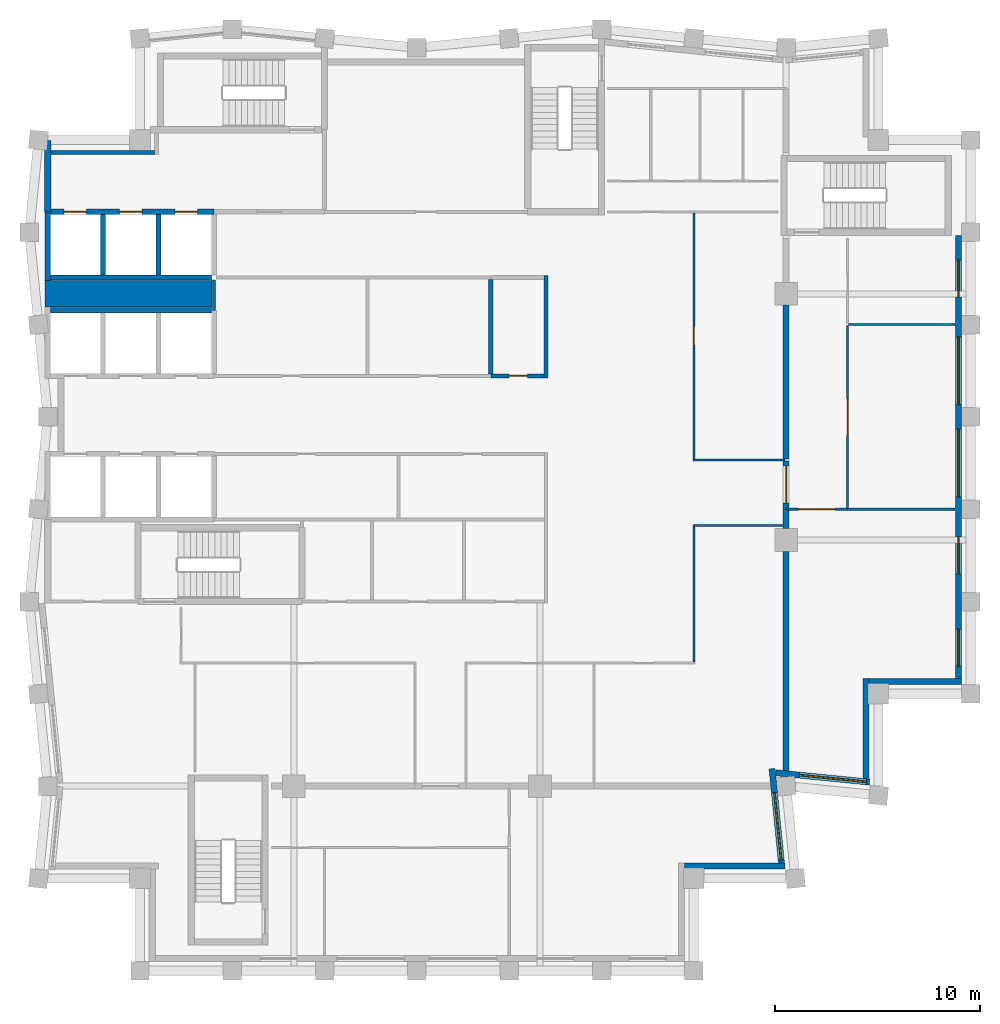
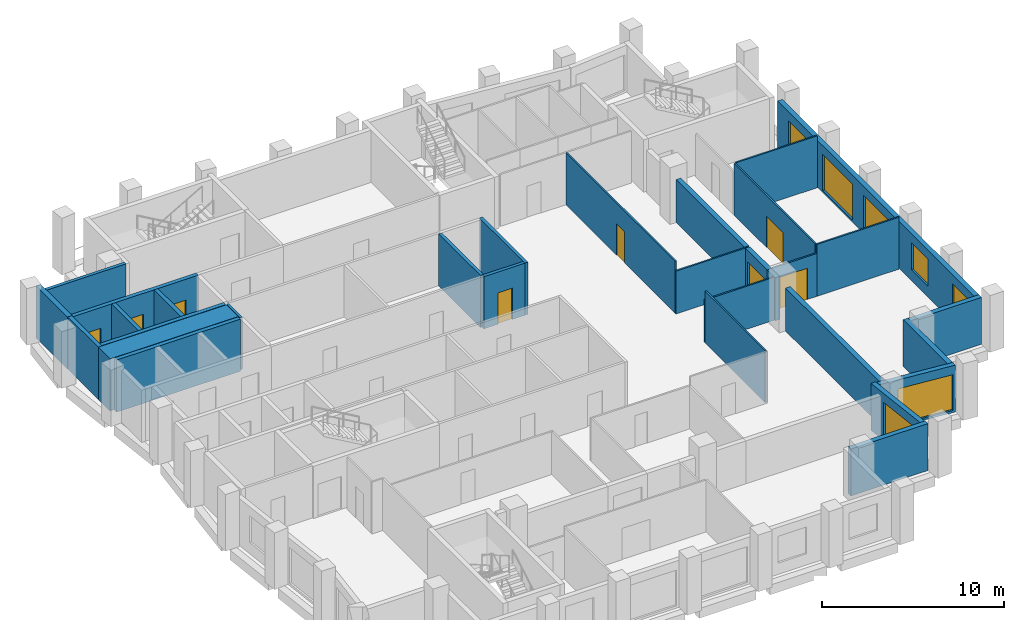
# One storey, part 4 of 7: 31 walls, 8 doors, 7 windows, 15 openings.
"""IFC4 building model written with IfcOpenShell, lengths in metres."""

from ifc_helpers import new_model, si_unit, direction, frame, frame_2d, origin, place, context, subcontext, project, spatial, rectangle, extrude, material, layer, layer_set, type_object, element, fill, save


model = new_model("IFC4")

# Units and contexts
model_context = context("Model", 3, precision=1e-05, world=origin(), true_north=direction((0.0, 1.0)))
body_context = subcontext(model_context, "Body", "Model", "MODEL_VIEW")
ifc_project = project(units=[si_unit("LENGTHUNIT", "METRE"), si_unit("AREAUNIT", "SQUARE_METRE"), si_unit("VOLUMEUNIT", "CUBIC_METRE"), si_unit("PLANEANGLEUNIT", "RADIAN"), si_unit("MASSUNIT", "GRAM", prefix="KILO")], contexts=[model_context])

# Site, building, storey
site_placement = place(None, origin())
site = spatial("IfcSite", under=ifc_project, at=site_placement, CompositionType="ELEMENT")
building_placement = place(site_placement, origin())
building = spatial("IfcBuilding", under=site, at=building_placement, Name="Brondeck Convention Tower", CompositionType="ELEMENT")
storey_placement = place(building_placement, frame((0.0, 0.0, 260.0)))
storey = spatial("IfcBuildingStorey", under=building, at=storey_placement, Name="L64", CompositionType="ELEMENT", Elevation=260.0)

# Walls
ifc_material_1 = material(Name="Concrete compartment wall C30/37", Category="concrete")
ifc_layer_1 = layer(ifc_material_1, 0.300048828125)
ifc_layer_set_1 = layer_set([ifc_layer_1], Name="Compartment wall 300")
wall_type_1 = type_object("IfcWallType", Name="Compartment wall 300", PredefinedType="PARTITIONING", material=ifc_layer_set_1)
wall_1_placement = place(storey_placement, frame((36.0, 27.773681640625, 0.0), z_axis=(0.0, 0.0, 1.0), x_axis=(0.0, 1.0, 0.0)))
element("IfcWall", 1, at=wall_1_placement, inside=storey, type_object=wall_type_1, Name="FLR-L64-W020", PredefinedType="PARTITIONING", context=body_context, shape_type="SweptSolid", body=[
    extrude(rectangle(XDim=10.67138671875, YDim=0.300048828125, at=frame_2d((5.335693359375, 0.0))), origin(), (0.0, 0.0, 1.0), 2.8798828125),
])
wall_2_placement = place(storey_placement, frame((36.0, 40.449951171875, 0.0), z_axis=(0.0, 0.0, 1.0), x_axis=(0.0, -1.0, 0.0)))
element("IfcWall", 2, at=wall_2_placement, inside=storey, type_object=wall_type_1, Name="FLR-L64-W032", PredefinedType="PARTITIONING", context=body_context, shape_type="SweptSolid", body=[
    extrude(rectangle(XDim=0.8798828125, YDim=0.300048828125, at=frame_2d((0.43994140625, 0.0))), origin(), (0.0, 0.0, 1.0), 2.8798828125),
])

# Wall, opening, door
wall_3_placement = place(storey_placement, frame((36.0, 42.85009765625, 0.0), z_axis=(0.0, 0.0, 1.0), x_axis=(0.0, -1.0, 0.0)))
wall_3 = element("IfcWall", 3, at=wall_3_placement, inside=storey, type_object=wall_type_1, Name="FLR-L64-W035", PredefinedType="PARTITIONING", context=body_context, shape_type="SweptSolid", body=[
    extrude(rectangle(XDim=2.39501953125, YDim=0.300048828125, at=frame_2d((1.197509765625, 0.0))), origin(), (0.0, 0.0, 1.0), 2.8798828125),
])
opening_1_placement = place(wall_3_placement, frame((0.25, 0.0, 0.0)))
opening_1 = element("IfcOpeningElement", 4, at=opening_1_placement, cuts=wall_3, Name="Opening EX-B-017", PredefinedType="OPENING", context=body_context, shape_type="SweptSolid", body=[
    extrude(rectangle(XDim=1.800048828125, YDim=2.10009765625, at=frame_2d((0.89990234375, 1.050048828125))), frame((0.0, 0.159912109375, 0.0), z_axis=(0.0, -1.0, 0.0), x_axis=(1.0, 0.0, 0.0)), (0.0, 0.0, 1.0), 0.320068359375),
])
ifc_material_2 = material(Name="Steel fire door pair", Category="steel")
door_type_1 = type_object("IfcDoorType", Name="Fire door pair 1800", OperationType="DOUBLE_DOOR_SINGLE_SWING", PredefinedType="DOOR", material=ifc_material_2)
door_1_placement = place(opening_1_placement, origin())
door_1 = element("IfcDoor", 5, at=door_1_placement, inside=storey, type_object=door_type_1, Name="Door EX-B-017", OperationType="DOUBLE_DOOR_SINGLE_SWING", OverallHeight=2.10009765625, OverallWidth=1.800048828125, PredefinedType="DOOR", context=body_context, shape_type="SweptSolid", body=[
    extrude(rectangle(XDim=1.800048828125, YDim=2.10009765625, at=frame_2d((0.89990234375, 1.050048828125))), frame((0.0, 0.02490234375, 0.0), z_axis=(0.0, -1.0, 0.0), x_axis=(1.0, 0.0, 0.0)), (0.0, 0.0, 1.0), 0.050048828125),
])
fill(opening_1, door_1)

# Walls
wall_4_placement = place(storey_placement, frame((36.0, 42.949951171875, 0.0), z_axis=(0.0, 0.0, 1.0), x_axis=(0.0, 1.0, 0.0)))
element("IfcWall", 6, at=wall_4_placement, inside=storey, type_object=wall_type_1, Name="FLR-L64-W037", PredefinedType="PARTITIONING", context=body_context, shape_type="SweptSolid", body=[
    extrude(rectangle(XDim=7.4951171875, YDim=0.300048828125, at=frame_2d((3.74755859375, 0.0))), origin(), (0.0, 0.0, 1.0), 2.8798828125),
])
ifc_material_3 = material(Name="Concrete C50/60", Category="concrete")
ifc_layer_2 = layer(ifc_material_3, 0.199951171875)
ifc_layer_set_2 = layer_set([ifc_layer_2], Name="Core beam-seat wall 200 Concrete C50/60")
wall_type_2 = type_object("IfcWallType", Name="Core beam-seat wall 200 Concrete C50/60", PredefinedType="SHEAR", material=ifc_layer_set_2)
wall_5_placement = place(storey_placement, frame((24.300048828125, 46.89990234375, 0.0), z_axis=(0.0, 0.0, 1.0), x_axis=(0.0, 1.0, 0.0)))
element("IfcWall", 7, at=wall_5_placement, inside=storey, type_object=wall_type_2, Name="L64 core wall", PredefinedType="SHEAR", context=body_context, shape_type="SweptSolid", body=[
    extrude(rectangle(XDim=5.0, YDim=0.199951171875, at=frame_2d((2.5, 0.0))), origin(), (0.0, 0.0, 1.0), 3.5),
])
ifc_layer_3 = layer(ifc_material_3, 0.300048828125)
ifc_layer_set_3 = layer_set([ifc_layer_3], Name="Core outer wall 300 Concrete C50/60")
wall_type_3 = type_object("IfcWallType", Name="Core outer wall 300 Concrete C50/60", PredefinedType="SHEAR", material=ifc_layer_set_3)
wall_6_placement = place(storey_placement, frame((0.0, 55.0, 0.0), z_axis=(0.0, 0.0, 1.0), x_axis=(0.0, 1.0, 0.0)))
element("IfcWall", 8, at=wall_6_placement, inside=storey, type_object=wall_type_3, Name="L64 core wall", PredefinedType="SHEAR", context=body_context, shape_type="SweptSolid", body=[
    extrude(rectangle(XDim=3.4775390625, YDim=0.300048828125, at=frame_2d((1.73876953125, 0.0))), origin(), (0.0, 0.0, 1.0), 3.5),
])
ifc_material_4 = material(Name="Fire-rated gypsum board partition")
ifc_layer_4 = layer(ifc_material_4, 0.14990234375)
ifc_layer_set_4 = layer_set([ifc_layer_4], Name="Core partition 150 EI 60")
wall_type_4 = type_object("IfcWallType", Name="Core partition 150 EI 60", PredefinedType="PARTITIONING", material=ifc_layer_set_4)
wall_7_placement = place(storey_placement, frame((8.10009765625, 50.199951171875, 0.0), z_axis=(0.0, 0.0, 1.0), x_axis=(0.0, 1.0, 0.0)))
element("IfcWall", 9, at=wall_7_placement, inside=storey, type_object=wall_type_4, Name="L64 core wall", PredefinedType="PARTITIONING", context=body_context, shape_type="SweptSolid", body=[
    extrude(rectangle(XDim=1.47509765625, YDim=0.14990234375, at=frame_2d((0.737548828125, 0.0))), origin(), (0.0, 0.0, 1.0), 3.5),
])
ifc_layer_5 = layer(ifc_material_3, 1.300048828125)
ifc_layer_set_5 = layer_set([ifc_layer_5], Name="Core shear wall 1300 Concrete C50/60")
wall_type_5 = type_object("IfcWallType", Name="Core shear wall 1300 Concrete C50/60", PredefinedType="SHEAR", material=ifc_layer_set_5)
wall_8_placement = place(storey_placement, frame((-0.125, 51.0, 0.0), z_axis=(0.0, 0.0, 1.0), x_axis=(1.0, 0.0, 0.0)))
element("IfcWall", 10, at=wall_8_placement, inside=storey, type_object=wall_type_5, Name="L64 core wall", PredefinedType="SHEAR", context=body_context, shape_type="SweptSolid", body=[
    extrude(rectangle(XDim=8.125, YDim=1.300048828125, at=frame_2d((4.0625, 0.0))), origin(), (0.0, 0.0, 1.0), 3.5),
])
ifc_material_5 = material(Name="Precast concrete C50/60 bronze finish", Category="concrete")
ifc_layer_6 = layer(ifc_material_5, 0.070068359375, Name="Bronze precast facing")
ifc_material_6 = material(Name="Mineral wool")
ifc_layer_7 = layer(ifc_material_6, 0.159912109375, Name="Insulation")
ifc_material_7 = material(Name="Concrete C35/45", Category="concrete")
ifc_layer_8 = layer(ifc_material_7, 0.070068359375, Name="Backing")
ifc_layer_set_6 = layer_set([ifc_layer_6, ifc_layer_7, ifc_layer_8], Name="External infill wall, precast concrete C50/60 bronze facing")
wall_type_6 = type_object("IfcWallType", Name="External infill wall, precast concrete C50/60 bronze facing", PredefinedType="SOLIDWALL", material=ifc_layer_set_6)
wall_9_placement = place(storey_placement, frame((35.952880859375, 23.10009765625, 0.0), z_axis=(0.0, 0.0, 1.0), x_axis=(-1.0, 0.0, 0.0)))
element("IfcWall", 11, at=wall_9_placement, inside=storey, type_object=wall_type_6, Name="ENV-EW-L64-P3-NC-SEB18-02", PredefinedType="SOLIDWALL", context=body_context, shape_type="SweptSolid", body=[
    extrude(rectangle(XDim=4.90283203125, YDim=0.300048828125, at=frame_2d((2.451416015625, 0.0))), origin(), (0.0, 0.0, 1.0), 3.14990234375),
])

# Wall, opening, window
wall_10_placement = place(storey_placement, frame((35.311767578125, 27.852294921875, 0.0), z_axis=(0.0, 0.0, 1.0), x_axis=(0.099503719021, -0.99503719021, 0.0)))
wall_10 = element("IfcWall", 12, at=wall_10_placement, inside=storey, type_object=wall_type_6, Name="ENV-EW-L64-P3-B-E-00", PredefinedType="SOLIDWALL", context=body_context, shape_type="SweptSolid", body=[
    extrude(rectangle(XDim=4.6201171875, YDim=0.300048828125, at=frame_2d((2.31005859375, 0.0))), origin(), (0.0, 0.0, 1.0), 3.14990234375),
])
opening_2_placement = place(wall_10_placement, frame((1.170166015625, 0.0, 0.14990234375)))
opening_2 = element("IfcOpeningElement", 13, at=opening_2_placement, cuts=wall_10, Name="Opening W9", PredefinedType="OPENING", context=body_context, shape_type="SweptSolid", body=[
    extrude(rectangle(XDim=3.300048828125, YDim=2.39990234375, at=frame_2d((1.64990234375, 1.199951171875))), frame((0.0, 0.159912109375, 0.0), z_axis=(0.0, -1.0, 0.0), x_axis=(1.0, 0.0, 0.0)), (0.0, 0.0, 1.0), 0.320068359375),
])
ifc_material_8 = material(Name="Bronze tinted double glazing", Category="glass")
window_type_1 = type_object("IfcWindowType", Name="Glazed flute window, bronze tinted", PartitioningType="SINGLE_PANEL", PredefinedType="WINDOW", material=ifc_material_8)
window_1_placement = place(opening_2_placement, origin())
window_1 = element("IfcWindow", 14, at=window_1_placement, inside=storey, type_object=window_type_1, Name="ENV-WN-L64-P3-B-E-00", OverallHeight=2.39990234375, OverallWidth=3.300048828125, PartitioningType="SINGLE_PANEL", PredefinedType="WINDOW", context=body_context, shape_type="SweptSolid", body=[
    extrude(rectangle(XDim=3.300048828125, YDim=2.39990234375, at=frame_2d((1.64990234375, 1.199951171875))), frame((0.0, 0.030029296875, 0.0), z_axis=(0.0, -1.0, 0.0), x_axis=(1.0, 0.0, 0.0)), (0.0, 0.0, 1.0), 0.06005859375),
])
fill(opening_2, window_1)

wall_11_placement = place(storey_placement, frame((40.06494140625, 27.196533203125, 0.0), z_axis=(0.0, 0.0, 1.0), x_axis=(-0.995036663613, 0.099508984853, 0.0)))
wall_11 = element("IfcWall", 15, at=wall_11_placement, inside=storey, type_object=wall_type_6, Name="ENV-EW-L64-P3-A-S-00", PredefinedType="SOLIDWALL", context=body_context, shape_type="SweptSolid", body=[
    extrude(rectangle(XDim=4.59033203125, YDim=0.300048828125, at=frame_2d((2.295166015625, 0.0))), origin(), (0.0, 0.0, 1.0), 3.14990234375),
])
opening_3_placement = place(wall_11_placement, frame((0.14990234375, 0.0, 0.14990234375)))
opening_3 = element("IfcOpeningElement", 16, at=opening_3_placement, cuts=wall_11, Name="Opening W9", PredefinedType="OPENING", context=body_context, shape_type="SweptSolid", body=[
    extrude(rectangle(XDim=3.300048828125, YDim=2.39990234375, at=frame_2d((1.64990234375, 1.199951171875))), frame((0.0, 0.159912109375, 0.0), z_axis=(0.0, -1.0, 0.0), x_axis=(1.0, 0.0, 0.0)), (0.0, 0.0, 1.0), 0.320068359375),
])
window_2_placement = place(opening_3_placement, origin())
window_2 = element("IfcWindow", 17, at=window_2_placement, inside=storey, type_object=window_type_1, Name="ENV-WN-L64-P3-A-S-00", OverallHeight=2.39990234375, OverallWidth=3.300048828125, PartitioningType="SINGLE_PANEL", PredefinedType="WINDOW", context=body_context, shape_type="SweptSolid", body=[
    extrude(rectangle(XDim=3.300048828125, YDim=2.39990234375, at=frame_2d((1.64990234375, 1.199951171875))), frame((0.0, 0.030029296875, 0.0), z_axis=(0.0, -1.0, 0.0), x_axis=(1.0, 0.0, 0.0)), (0.0, 0.0, 1.0), 0.06005859375),
])
fill(opening_3, window_2)

# Walls
wall_12_placement = place(storey_placement, frame((39.89990234375, 32.25, 0.0), z_axis=(0.0, 0.0, 1.0), x_axis=(0.0, -1.0, 0.0)))
element("IfcWall", 18, at=wall_12_placement, inside=storey, type_object=wall_type_6, Name="ENV-EW-L64-P3-NC-SEA45-01", PredefinedType="SOLIDWALL", context=body_context, shape_type="SweptSolid", body=[
    extrude(rectangle(XDim=4.881103515625, YDim=0.300048828125, at=frame_2d((2.4404296875, 0.0))), origin(), (0.0, 0.0, 1.0), 3.14990234375),
])
wall_13_placement = place(storey_placement, frame((44.550048828125, 32.10009765625, 0.0), z_axis=(0.0, 0.0, 1.0), x_axis=(-1.0, 0.0, 0.0)))
element("IfcWall", 19, at=wall_13_placement, inside=storey, type_object=wall_type_6, Name="ENV-EW-L64-P3-NC-SEA45-02", PredefinedType="SOLIDWALL", context=body_context, shape_type="SweptSolid", body=[
    extrude(rectangle(XDim=4.501953125, YDim=0.300048828125, at=frame_2d((2.2509765625, 0.0))), origin(), (0.0, 0.0, 1.0), 3.14990234375),
])

# Wall, openings, windows
wall_14_placement = place(storey_placement, frame((44.39990234375, 53.85009765625, 0.0), z_axis=(0.0, 0.0, 1.0), x_axis=(0.0, -1.0, 0.0)))
wall_14 = element("IfcWall", 20, at=wall_14_placement, inside=storey, type_object=wall_type_6, Name="ENV-EW-L64-P3-A-E45-01", PredefinedType="SOLIDWALL", context=body_context, shape_type="SweptSolid", body=[
    extrude(rectangle(XDim=21.60205078125, YDim=0.300048828125, at=frame_2d((10.801025390625, 0.0))), origin(), (0.0, 0.0, 1.0), 3.14990234375),
])
opening_4_placement = place(wall_14_placement, frame((1.199951171875, 0.0, 0.75)))
opening_4 = element("IfcOpeningElement", 21, at=opening_4_placement, cuts=wall_14, Name="Opening W10", PredefinedType="OPENING", context=body_context, shape_type="SweptSolid", body=[
    extrude(rectangle(XDim=1.800048828125, YDim=1.800048828125, at=frame_2d((0.89990234375, 0.89990234375))), frame((0.0, 0.159912109375, 0.0), z_axis=(0.0, -1.0, 0.0), x_axis=(1.0, 0.0, 0.0)), (0.0, 0.0, 1.0), 0.320068359375),
])
opening_5_placement = place(wall_14_placement, frame((4.949951171875, 0.0, 0.14990234375)))
opening_5 = element("IfcOpeningElement", 22, at=opening_5_placement, cuts=wall_14, Name="Opening W9", PredefinedType="OPENING", context=body_context, shape_type="SweptSolid", body=[
    extrude(rectangle(XDim=3.300048828125, YDim=2.39990234375, at=frame_2d((1.64990234375, 1.199951171875))), frame((0.0, 0.159912109375, 0.0), z_axis=(0.0, -1.0, 0.0), x_axis=(1.0, 0.0, 0.0)), (0.0, 0.0, 1.0), 0.320068359375),
])
opening_6_placement = place(wall_14_placement, frame((9.449951171875, 0.0, 0.14990234375)))
opening_6 = element("IfcOpeningElement", 23, at=opening_6_placement, cuts=wall_14, Name="Opening W9", PredefinedType="OPENING", context=body_context, shape_type="SweptSolid", body=[
    extrude(rectangle(XDim=3.300048828125, YDim=2.39990234375, at=frame_2d((1.64990234375, 1.199951171875))), frame((0.0, 0.159912109375, 0.0), z_axis=(0.0, -1.0, 0.0), x_axis=(1.0, 0.0, 0.0)), (0.0, 0.0, 1.0), 0.320068359375),
])
opening_7_placement = place(wall_14_placement, frame((14.699951171875, 0.0, 0.75)))
opening_7 = element("IfcOpeningElement", 24, at=opening_7_placement, cuts=wall_14, Name="Opening W10", PredefinedType="OPENING", context=body_context, shape_type="SweptSolid", body=[
    extrude(rectangle(XDim=1.800048828125, YDim=1.800048828125, at=frame_2d((0.89990234375, 0.89990234375))), frame((0.0, 0.159912109375, 0.0), z_axis=(0.0, -1.0, 0.0), x_axis=(1.0, 0.0, 0.0)), (0.0, 0.0, 1.0), 0.320068359375),
])
opening_8_placement = place(wall_14_placement, frame((19.199951171875, 0.0, 0.75)))
opening_8 = element("IfcOpeningElement", 25, at=opening_8_placement, cuts=wall_14, Name="Opening W10", PredefinedType="OPENING", context=body_context, shape_type="SweptSolid", body=[
    extrude(rectangle(XDim=1.800048828125, YDim=1.800048828125, at=frame_2d((0.89990234375, 0.89990234375))), frame((0.0, 0.159912109375, 0.0), z_axis=(0.0, -1.0, 0.0), x_axis=(1.0, 0.0, 0.0)), (0.0, 0.0, 1.0), 0.320068359375),
])
window_3_placement = place(opening_5_placement, origin())
window_3 = element("IfcWindow", 26, at=window_3_placement, inside=storey, type_object=window_type_1, Name="ENV-WN-L64-P3-A-E45-04", OverallHeight=2.39990234375, OverallWidth=3.300048828125, PartitioningType="SINGLE_PANEL", PredefinedType="WINDOW", context=body_context, shape_type="SweptSolid", body=[
    extrude(rectangle(XDim=3.300048828125, YDim=2.39990234375, at=frame_2d((1.64990234375, 1.199951171875))), frame((0.0, 0.030029296875, 0.0), z_axis=(0.0, -1.0, 0.0), x_axis=(1.0, 0.0, 0.0)), (0.0, 0.0, 1.0), 0.06005859375),
])
fill(opening_5, window_3)
window_4_placement = place(opening_6_placement, origin())
window_4 = element("IfcWindow", 27, at=window_4_placement, inside=storey, type_object=window_type_1, Name="ENV-WN-L64-P3-A-E45-03", OverallHeight=2.39990234375, OverallWidth=3.300048828125, PartitioningType="SINGLE_PANEL", PredefinedType="WINDOW", context=body_context, shape_type="SweptSolid", body=[
    extrude(rectangle(XDim=3.300048828125, YDim=2.39990234375, at=frame_2d((1.64990234375, 1.199951171875))), frame((0.0, 0.030029296875, 0.0), z_axis=(0.0, -1.0, 0.0), x_axis=(1.0, 0.0, 0.0)), (0.0, 0.0, 1.0), 0.06005859375),
])
fill(opening_6, window_4)
window_type_2 = type_object("IfcWindowType", Name="Punched window, bronze tinted", PartitioningType="SINGLE_PANEL", PredefinedType="WINDOW", material=ifc_material_8)
window_5_placement = place(opening_4_placement, origin())
window_5 = element("IfcWindow", 28, at=window_5_placement, inside=storey, type_object=window_type_2, Name="ENV-WN-L64-P3-A-E45-05", OverallHeight=1.800048828125, OverallWidth=1.800048828125, PartitioningType="SINGLE_PANEL", PredefinedType="WINDOW", context=body_context, shape_type="SweptSolid", body=[
    extrude(rectangle(XDim=1.800048828125, YDim=1.800048828125, at=frame_2d((0.89990234375, 0.89990234375))), frame((0.0, 0.030029296875, 0.0), z_axis=(0.0, -1.0, 0.0), x_axis=(1.0, 0.0, 0.0)), (0.0, 0.0, 1.0), 0.06005859375),
])
fill(opening_4, window_5)
window_6_placement = place(opening_7_placement, origin())
window_6 = element("IfcWindow", 29, at=window_6_placement, inside=storey, type_object=window_type_2, Name="ENV-WN-L64-P3-A-E45-02", OverallHeight=1.800048828125, OverallWidth=1.800048828125, PartitioningType="SINGLE_PANEL", PredefinedType="WINDOW", context=body_context, shape_type="SweptSolid", body=[
    extrude(rectangle(XDim=1.800048828125, YDim=1.800048828125, at=frame_2d((0.89990234375, 0.89990234375))), frame((0.0, 0.030029296875, 0.0), z_axis=(0.0, -1.0, 0.0), x_axis=(1.0, 0.0, 0.0)), (0.0, 0.0, 1.0), 0.06005859375),
])
fill(opening_7, window_6)
window_7_placement = place(opening_8_placement, origin())
window_7 = element("IfcWindow", 30, at=window_7_placement, inside=storey, type_object=window_type_2, Name="ENV-WN-L64-P3-A-E45-01", OverallHeight=1.800048828125, OverallWidth=1.800048828125, PartitioningType="SINGLE_PANEL", PredefinedType="WINDOW", context=body_context, shape_type="SweptSolid", body=[
    extrude(rectangle(XDim=1.800048828125, YDim=1.800048828125, at=frame_2d((0.89990234375, 0.89990234375))), frame((0.0, 0.030029296875, 0.0), z_axis=(0.0, -1.0, 0.0), x_axis=(1.0, 0.0, 0.0)), (0.0, 0.0, 1.0), 0.06005859375),
])
fill(opening_8, window_7)

# Walls
ifc_layer_9 = layer(ifc_material_4, 0.199951171875)
ifc_layer_set_7 = layer_set([ifc_layer_9], Name="Firefighting lobby wall 200 EI 120")
wall_type_7 = type_object("IfcWallType", Name="Firefighting lobby wall 200 EI 120", PredefinedType="PARTITIONING", material=ifc_layer_set_7)
wall_15_placement = place(storey_placement, frame((0.14990234375, 57.89990234375, 0.0), z_axis=(0.0, 0.0, 1.0), x_axis=(1.0, 0.0, 0.0)))
element("IfcWall", 31, at=wall_15_placement, inside=storey, type_object=wall_type_7, Name="L64 core wall", PredefinedType="PARTITIONING", context=body_context, shape_type="SweptSolid", body=[
    extrude(rectangle(XDim=5.050048828125, YDim=0.199951171875, at=frame_2d((2.52490234375, 0.0))), origin(), (0.0, 0.0, 1.0), 3.5),
])
ifc_layer_10 = layer(ifc_material_3, 0.25)
ifc_layer_set_8 = layer_set([ifc_layer_10], Name="Lift shaft wall 250 Concrete C50/60")
wall_type_8 = type_object("IfcWallType", Name="Lift shaft wall 250 Concrete C50/60", PredefinedType="SHEAR", material=ifc_layer_set_8)
for number, where, z_axis, x_axis, name in (
    (32, (0.125, 50.199951171875, 0.0), (0.0, 0.0, 1.0), (1.0, 0.0, 0.0), "L64 core wall"),
    (33, (0.125, 51.800048828125, 0.0), (0.0, 0.0, 1.0), (1.0, 0.0, 0.0), "L64 core wall"),
):
    element("IfcWall", number, at=place(storey_placement, frame(where, z_axis=z_axis, x_axis=x_axis)), inside=storey, type_object=wall_type_8, Name=name, PredefinedType="SHEAR", context=body_context, shape_type="SweptSolid", body=[
        extrude(rectangle(XDim=7.85009765625, YDim=0.25, at=frame_2d((3.925048828125, 0.0))), origin(), (0.0, 0.0, 1.0), 3.5),
    ])

# Wall, openings, doors
wall_16_placement = place(storey_placement, frame((0.14990234375, 55.0, 0.0), z_axis=(0.0, 0.0, 1.0), x_axis=(1.0, 0.0, 0.0)))
wall_16 = element("IfcWall", 34, at=wall_16_placement, inside=storey, type_object=wall_type_8, Name="L64 core wall", PredefinedType="SHEAR", context=body_context, shape_type="SweptSolid", body=[
    extrude(rectangle(XDim=7.9501953125, YDim=0.25, at=frame_2d((3.97509765625, 0.0))), origin(), (0.0, 0.0, 1.0), 3.5),
])
opening_9_placement = place(wall_16_placement, frame((0.64990234375, 0.0, 0.0)))
opening_9 = element("IfcOpeningElement", 35, at=opening_9_placement, cuts=wall_16, Name="Opening C36-17", PredefinedType="OPENING", context=body_context, shape_type="SweptSolid", body=[
    extrude(rectangle(XDim=1.10009765625, YDim=2.10009765625, at=frame_2d((0.550048828125, 1.050048828125))), frame((0.0, 0.135009765625, 0.0), z_axis=(0.0, -1.0, 0.0), x_axis=(1.0, 0.0, 0.0)), (0.0, 0.0, 1.0), 0.27001953125),
])
opening_10_placement = place(wall_16_placement, frame((3.35009765625, 0.0, 0.0)))
opening_10 = element("IfcOpeningElement", 36, at=opening_10_placement, cuts=wall_16, Name="Opening C36-18", PredefinedType="OPENING", context=body_context, shape_type="SweptSolid", body=[
    extrude(rectangle(XDim=1.10009765625, YDim=2.10009765625, at=frame_2d((0.550048828125, 1.050048828125))), frame((0.0, 0.135009765625, 0.0), z_axis=(0.0, -1.0, 0.0), x_axis=(1.0, 0.0, 0.0)), (0.0, 0.0, 1.0), 0.27001953125),
])
opening_11_placement = place(wall_16_placement, frame((6.050048828125, 0.0, 0.0)))
opening_11 = element("IfcOpeningElement", 37, at=opening_11_placement, cuts=wall_16, Name="Opening C36-19", PredefinedType="OPENING", context=body_context, shape_type="SweptSolid", body=[
    extrude(rectangle(XDim=1.10009765625, YDim=2.10009765625, at=frame_2d((0.550048828125, 1.050048828125))), frame((0.0, 0.135009765625, 0.0), z_axis=(0.0, -1.0, 0.0), x_axis=(1.0, 0.0, 0.0)), (0.0, 0.0, 1.0), 0.27001953125),
])
ifc_material_9 = material(Name="Stainless steel lift door", Category="steel")
door_type_2 = type_object("IfcDoorType", Name="Lift landing door 1100x2100 EI 180", OperationType="DOUBLE_DOOR_SLIDING", PredefinedType="DOOR", material=ifc_material_9)
door_2_placement = place(opening_9_placement, origin())
door_2 = element("IfcDoor", 38, at=door_2_placement, inside=storey, type_object=door_type_2, Name="L64 Lift landing door FF1", OperationType="DOUBLE_DOOR_SLIDING", OverallHeight=2.10009765625, OverallWidth=1.10009765625, PredefinedType="DOOR", context=body_context, shape_type="SweptSolid", body=[
    extrude(rectangle(XDim=1.10009765625, YDim=2.10009765625, at=frame_2d((0.550048828125, 1.050048828125))), frame((0.0, 0.02490234375, 0.0), z_axis=(0.0, -1.0, 0.0), x_axis=(1.0, 0.0, 0.0)), (0.0, 0.0, 1.0), 0.050048828125),
])
fill(opening_9, door_2)
door_3_placement = place(opening_10_placement, origin())
door_3 = element("IfcDoor", 39, at=door_3_placement, inside=storey, type_object=door_type_2, Name="L64 Lift landing door FF2", OperationType="DOUBLE_DOOR_SLIDING", OverallHeight=2.10009765625, OverallWidth=1.10009765625, PredefinedType="DOOR", context=body_context, shape_type="SweptSolid", body=[
    extrude(rectangle(XDim=1.10009765625, YDim=2.10009765625, at=frame_2d((0.550048828125, 1.050048828125))), frame((0.0, 0.02490234375, 0.0), z_axis=(0.0, -1.0, 0.0), x_axis=(1.0, 0.0, 0.0)), (0.0, 0.0, 1.0), 0.050048828125),
])
fill(opening_10, door_3)
door_4_placement = place(opening_11_placement, origin())
door_4 = element("IfcDoor", 40, at=door_4_placement, inside=storey, type_object=door_type_2, Name="L64 Lift landing door FF3", OperationType="DOUBLE_DOOR_SLIDING", OverallHeight=2.10009765625, OverallWidth=1.10009765625, PredefinedType="DOOR", context=body_context, shape_type="SweptSolid", body=[
    extrude(rectangle(XDim=1.10009765625, YDim=2.10009765625, at=frame_2d((0.550048828125, 1.050048828125))), frame((0.0, 0.02490234375, 0.0), z_axis=(0.0, -1.0, 0.0), x_axis=(1.0, 0.0, 0.0)), (0.0, 0.0, 1.0), 0.050048828125),
])
fill(opening_11, door_4)

# Walls
wall_17_placement = place(storey_placement, frame((0.0, 51.64990234375, 0.0), z_axis=(0.0, 0.0, 1.0), x_axis=(0.0, 1.0, 0.0)))
element("IfcWall", 41, at=wall_17_placement, inside=storey, type_object=wall_type_8, Name="L64 core wall", PredefinedType="SHEAR", context=body_context, shape_type="SweptSolid", body=[
    extrude(rectangle(XDim=3.35009765625, YDim=0.25, at=frame_2d((1.675048828125, 0.0))), origin(), (0.0, 0.0, 1.0), 3.5),
])
for number, where, z_axis, x_axis, name in (
    (42, (2.699951171875, 51.925048828125, 0.0), (0.0, 0.0, 1.0), (0.0, 1.0, 0.0), "L64 core wall"),
    (43, (5.39990234375, 51.925048828125, 0.0), (0.0, 0.0, 1.0), (0.0, 1.0, 0.0), "L64 core wall"),
):
    element("IfcWall", number, at=place(storey_placement, frame(where, z_axis=z_axis, x_axis=x_axis)), inside=storey, type_object=wall_type_8, Name=name, PredefinedType="SHEAR", context=body_context, shape_type="SweptSolid", body=[
        extrude(rectangle(XDim=2.949951171875, YDim=0.25, at=frame_2d((1.47509765625, 0.0))), origin(), (0.0, 0.0, 1.0), 3.5),
    ])

# Wall, opening, door
ifc_layer_11 = layer(ifc_material_4, 0.199951171875)
ifc_layer_set_9 = layer_set([ifc_layer_11], Name="Riser wall 200 EI 120")
wall_type_9 = type_object("IfcWallType", Name="Riser wall 200 EI 120", PredefinedType="PARTITIONING", material=ifc_layer_set_9)
wall_18_placement = place(storey_placement, frame((21.60009765625, 47.0, 0.0), z_axis=(0.0, 0.0, 1.0), x_axis=(1.0, 0.0, 0.0)))
wall_18 = element("IfcWall", 44, at=wall_18_placement, inside=storey, type_object=wall_type_9, Name="L64 core wall", PredefinedType="PARTITIONING", context=body_context, shape_type="SweptSolid", body=[
    extrude(rectangle(XDim=2.599853515625, YDim=0.199951171875, at=frame_2d((1.2998046875, 0.0))), origin(), (0.0, 0.0, 1.0), 3.5),
])
opening_12_placement = place(wall_18_placement, frame((0.89990234375, 0.0, 0.0)))
opening_12 = element("IfcOpeningElement", 45, at=opening_12_placement, cuts=wall_18, Name="Opening C36-02", PredefinedType="OPENING", context=body_context, shape_type="SweptSolid", body=[
    extrude(rectangle(XDim=0.89990234375, YDim=2.10009765625, at=frame_2d((0.449951171875, 1.050048828125))), frame((0.0, 0.10986328125, 0.0), z_axis=(0.0, -1.0, 0.0), x_axis=(1.0, 0.0, 0.0)), (0.0, 0.0, 1.0), 0.219970703125),
])
ifc_material_10 = material(Name="Steel fire door", Category="steel")
door_type_3 = type_object("IfcDoorType", Name="Riser door 900x2100 EI 120", OperationType="NOTDEFINED", PredefinedType="DOOR", material=ifc_material_10)
door_5_placement = place(opening_12_placement, origin())
door_5 = element("IfcDoor", 46, at=door_5_placement, inside=storey, type_object=door_type_3, Name="L64 Riser door EN-1", OperationType="SINGLE_SWING_LEFT", OverallHeight=2.10009765625, OverallWidth=0.89990234375, PredefinedType="DOOR", context=body_context, shape_type="SweptSolid", body=[
    extrude(rectangle(XDim=0.89990234375, YDim=2.10009765625, at=frame_2d((0.449951171875, 1.050048828125))), frame((0.0, 0.02490234375, 0.0), z_axis=(0.0, -1.0, 0.0), x_axis=(1.0, 0.0, 0.0)), (0.0, 0.0, 1.0), 0.050048828125),
])
fill(opening_12, door_5)

# Walls
wall_19_placement = place(storey_placement, frame((21.60009765625, 47.10009765625, 0.0), z_axis=(0.0, 0.0, 1.0), x_axis=(0.0, 1.0, 0.0)))
element("IfcWall", 47, at=wall_19_placement, inside=storey, type_object=wall_type_9, Name="L64 core wall", PredefinedType="PARTITIONING", context=body_context, shape_type="SweptSolid", body=[
    extrude(rectangle(XDim=4.599853515625, YDim=0.199951171875, at=frame_2d((2.2998046875, 0.0))), origin(), (0.0, 0.0, 1.0), 3.5),
])
ifc_material_11 = material(Name="Gypsum board partition on steel studs", Category="steel")
ifc_layer_12 = layer(ifc_material_11, 0.10009765625)
ifc_layer_set_10 = layer_set([ifc_layer_12], Name="Room partition 100")
wall_type_10 = type_object("IfcWallType", Name="Room partition 100", PredefinedType="PARTITIONING", material=ifc_layer_set_10)
wall_20_placement = place(storey_placement, frame((31.5, 39.64990234375, 0.0), z_axis=(0.0, 0.0, 1.0), x_axis=(0.0, -1.0, 0.0)))
element("IfcWall", 48, at=wall_20_placement, inside=storey, type_object=wall_type_10, Name="FLR-L64-W030", PredefinedType="PARTITIONING", context=body_context, shape_type="SweptSolid", body=[
    extrude(rectangle(XDim=6.599853515625, YDim=0.10009765625, at=frame_2d((3.2998046875, 0.0))), origin(), (0.0, 0.0, 1.0), 3.47998046875),
])
wall_21_placement = place(storey_placement, frame((35.949951171875, 39.699951171875, 0.0), z_axis=(0.0, 0.0, 1.0), x_axis=(-1.0, 0.0, 0.0)))
element("IfcWall", 49, at=wall_21_placement, inside=storey, type_object=wall_type_10, Name="FLR-L64-W031", PredefinedType="PARTITIONING", context=body_context, shape_type="SweptSolid", body=[
    extrude(rectangle(XDim=4.5, YDim=0.10009765625, at=frame_2d((2.25, 0.0))), origin(), (0.0, 0.0, 1.0), 2.8798828125),
])

# Wall, opening, door
wall_22_placement = place(storey_placement, frame((39.0, 40.5, 0.0), z_axis=(0.0, 0.0, 1.0), x_axis=(-1.0, 0.0, 0.0)))
wall_22 = element("IfcWall", 50, at=wall_22_placement, inside=storey, type_object=wall_type_10, Name="FLR-L64-W033", PredefinedType="PARTITIONING", context=body_context, shape_type="SweptSolid", body=[
    extrude(rectangle(XDim=2.949951171875, YDim=0.10009765625, at=frame_2d((1.47509765625, 0.0))), origin(), (0.0, 0.0, 1.0), 2.8798828125),
])
opening_13_placement = place(wall_22_placement, frame((0.60009765625, 0.0, 0.0)))
opening_13 = element("IfcOpeningElement", 51, at=opening_13_placement, cuts=wall_22, Name="Opening EX-B-003", PredefinedType="OPENING", context=body_context, shape_type="SweptSolid", body=[
    extrude(rectangle(XDim=1.800048828125, YDim=2.10009765625, at=frame_2d((0.89990234375, 1.050048828125))), frame((0.0, 0.06005859375, 0.0), z_axis=(0.0, -1.0, 0.0), x_axis=(1.0, 0.0, 0.0)), (0.0, 0.0, 1.0), 0.1201171875),
])
ifc_material_12 = material(Name="Glazed timber double door", Category="wood")
door_type_4 = type_object("IfcDoorType", Name="Double door 1800", OperationType="DOUBLE_DOOR_SINGLE_SWING", PredefinedType="DOOR", material=ifc_material_12)
door_6_placement = place(opening_13_placement, origin())
door_6 = element("IfcDoor", 52, at=door_6_placement, inside=storey, type_object=door_type_4, Name="Door EX-B-003", OperationType="DOUBLE_DOOR_SINGLE_SWING", OverallHeight=2.10009765625, OverallWidth=1.800048828125, PredefinedType="DOOR", context=body_context, shape_type="SweptSolid", body=[
    extrude(rectangle(XDim=1.800048828125, YDim=2.10009765625, at=frame_2d((0.89990234375, 1.050048828125))), frame((0.0, 0.02490234375, 0.0), z_axis=(0.0, -1.0, 0.0), x_axis=(1.0, 0.0, 0.0)), (0.0, 0.0, 1.0), 0.050048828125),
])
fill(opening_13, door_6)

# Walls
wall_23_placement = place(storey_placement, frame((44.22998046875, 40.5, 0.0), z_axis=(0.0, 0.0, 1.0), x_axis=(-1.0, 0.0, 0.0)))
element("IfcWall", 53, at=wall_23_placement, inside=storey, type_object=wall_type_10, Name="FLR-L64-W034", PredefinedType="PARTITIONING", context=body_context, shape_type="SweptSolid", body=[
    extrude(rectangle(XDim=5.22998046875, YDim=0.10009765625, at=frame_2d((2.614990234375, 0.0))), origin(), (0.0, 0.0, 1.0), 3.47998046875),
])
wall_24_placement = place(storey_placement, frame((31.449951171875, 42.89990234375, 0.0), z_axis=(0.0, 0.0, 1.0), x_axis=(1.0, 0.0, 0.0)))
element("IfcWall", 54, at=wall_24_placement, inside=storey, type_object=wall_type_10, Name="FLR-L64-W036", PredefinedType="PARTITIONING", context=body_context, shape_type="SweptSolid", body=[
    extrude(rectangle(XDim=4.5, YDim=0.10009765625, at=frame_2d((2.25, 0.0))), origin(), (0.0, 0.0, 1.0), 2.8798828125),
])

# Wall, opening, door
wall_25_placement = place(storey_placement, frame((39.0, 49.449951171875, 0.0), z_axis=(0.0, 0.0, 1.0), x_axis=(0.0, -1.0, 0.0)))
wall_25 = element("IfcWall", 55, at=wall_25_placement, inside=storey, type_object=wall_type_10, Name="FLR-L64-W038", PredefinedType="PARTITIONING", context=body_context, shape_type="SweptSolid", body=[
    extrude(rectangle(XDim=8.89990234375, YDim=0.10009765625, at=frame_2d((4.449951171875, 0.0))), origin(), (0.0, 0.0, 1.0), 3.47998046875),
])
opening_14_placement = place(wall_25_placement, frame((3.550048828125, 0.0, 0.0)))
opening_14 = element("IfcOpeningElement", 56, at=opening_14_placement, cuts=wall_25, Name="Opening EX-B-001", PredefinedType="OPENING", context=body_context, shape_type="SweptSolid", body=[
    extrude(rectangle(XDim=1.800048828125, YDim=2.10009765625, at=frame_2d((0.89990234375, 1.050048828125))), frame((0.0, 0.06005859375, 0.0), z_axis=(0.0, -1.0, 0.0), x_axis=(1.0, 0.0, 0.0)), (0.0, 0.0, 1.0), 0.1201171875),
])
door_7_placement = place(opening_14_placement, origin())
door_7 = element("IfcDoor", 57, at=door_7_placement, inside=storey, type_object=door_type_4, Name="Door EX-B-001", OperationType="DOUBLE_DOOR_SINGLE_SWING", OverallHeight=2.10009765625, OverallWidth=1.800048828125, PredefinedType="DOOR", context=body_context, shape_type="SweptSolid", body=[
    extrude(rectangle(XDim=1.800048828125, YDim=2.10009765625, at=frame_2d((0.89990234375, 1.050048828125))), frame((0.0, 0.02490234375, 0.0), z_axis=(0.0, -1.0, 0.0), x_axis=(1.0, 0.0, 0.0)), (0.0, 0.0, 1.0), 0.050048828125),
])
fill(opening_14, door_7)

# Wall
wall_26_placement = place(storey_placement, frame((39.050048828125, 49.5, 0.0), z_axis=(0.0, 0.0, 1.0), x_axis=(1.0, 0.0, 0.0)))
element("IfcWall", 58, at=wall_26_placement, inside=storey, type_object=wall_type_10, Name="FLR-L64-W039", PredefinedType="PARTITIONING", context=body_context, shape_type="SweptSolid", body=[
    extrude(rectangle(XDim=5.179931640625, YDim=0.10009765625, at=frame_2d((2.58984375, 0.0))), origin(), (0.0, 0.0, 1.0), 3.47998046875),
])

# Wall, opening, door
wall_27_placement = place(storey_placement, frame((31.5, 54.949951171875, 0.0), z_axis=(0.0, 0.0, 1.0), x_axis=(0.0, -1.0, 0.0)))
wall_27 = element("IfcWall", 59, at=wall_27_placement, inside=storey, type_object=wall_type_10, Name="FLR-L64-W042", PredefinedType="PARTITIONING", context=body_context, shape_type="SweptSolid", body=[
    extrude(rectangle(XDim=12.0, YDim=0.10009765625, at=frame_2d((6.0, 0.0))), origin(), (0.0, 0.0, 1.0), 3.47998046875),
])
opening_15_placement = place(wall_27_placement, frame((5.550048828125, 0.0, 0.0)))
opening_15 = element("IfcOpeningElement", 60, at=opening_15_placement, cuts=wall_27, Name="Opening EX-B-016", PredefinedType="OPENING", context=body_context, shape_type="SweptSolid", body=[
    extrude(rectangle(XDim=0.89990234375, YDim=2.10009765625, at=frame_2d((0.449951171875, 1.050048828125))), frame((0.0, 0.06005859375, 0.0), z_axis=(0.0, -1.0, 0.0), x_axis=(1.0, 0.0, 0.0)), (0.0, 0.0, 1.0), 0.1201171875),
])
ifc_material_13 = material(Name="Solid timber door leaf", Category="wood")
door_type_5 = type_object("IfcDoorType", Name="Single door 900", OperationType="NOTDEFINED", PredefinedType="DOOR", material=ifc_material_13)
door_8_placement = place(opening_15_placement, origin())
door_8 = element("IfcDoor", 61, at=door_8_placement, inside=storey, type_object=door_type_5, Name="Door EX-B-016", OperationType="SINGLE_SWING_LEFT", OverallHeight=2.10009765625, OverallWidth=0.89990234375, PredefinedType="DOOR", context=body_context, shape_type="SweptSolid", body=[
    extrude(rectangle(XDim=0.89990234375, YDim=2.10009765625, at=frame_2d((0.449951171875, 1.050048828125))), frame((0.0, 0.02490234375, 0.0), z_axis=(0.0, -1.0, 0.0), x_axis=(1.0, 0.0, 0.0)), (0.0, 0.0, 1.0), 0.050048828125),
])
fill(opening_15, door_8)

save(model, "model.ifc")
